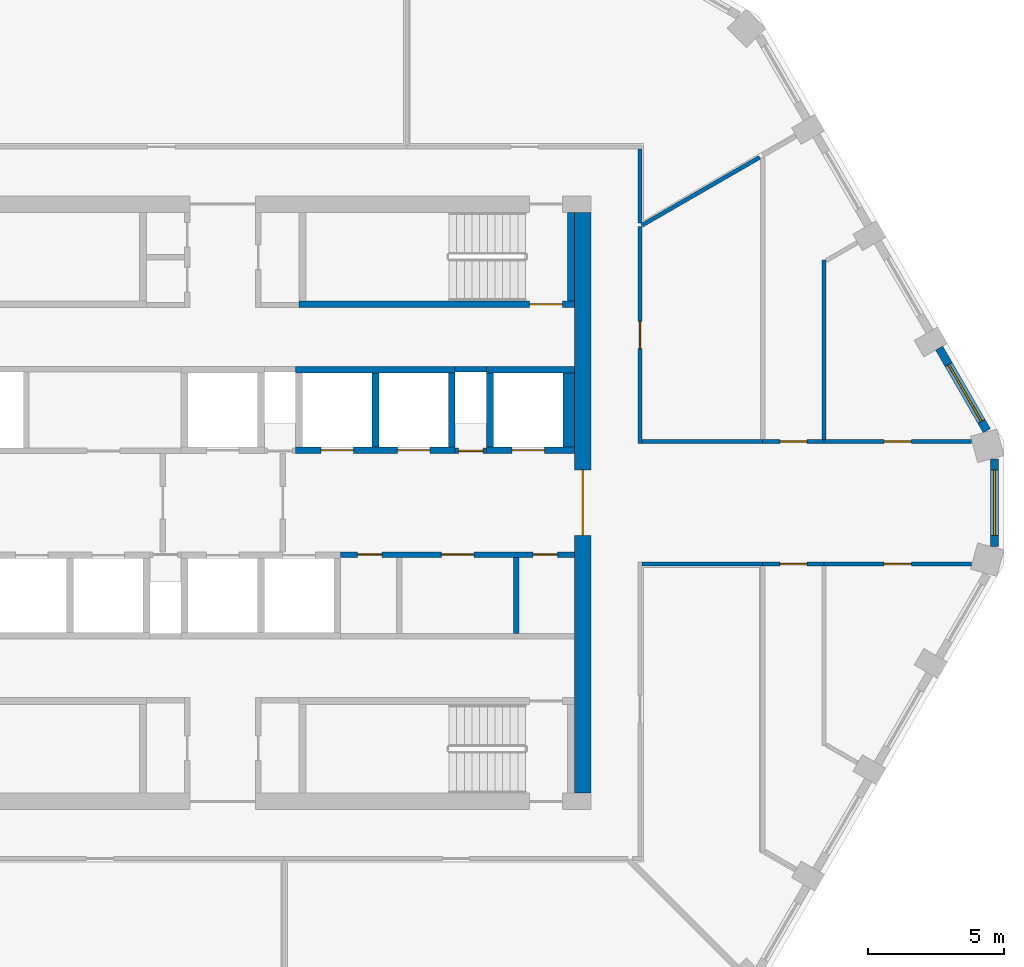
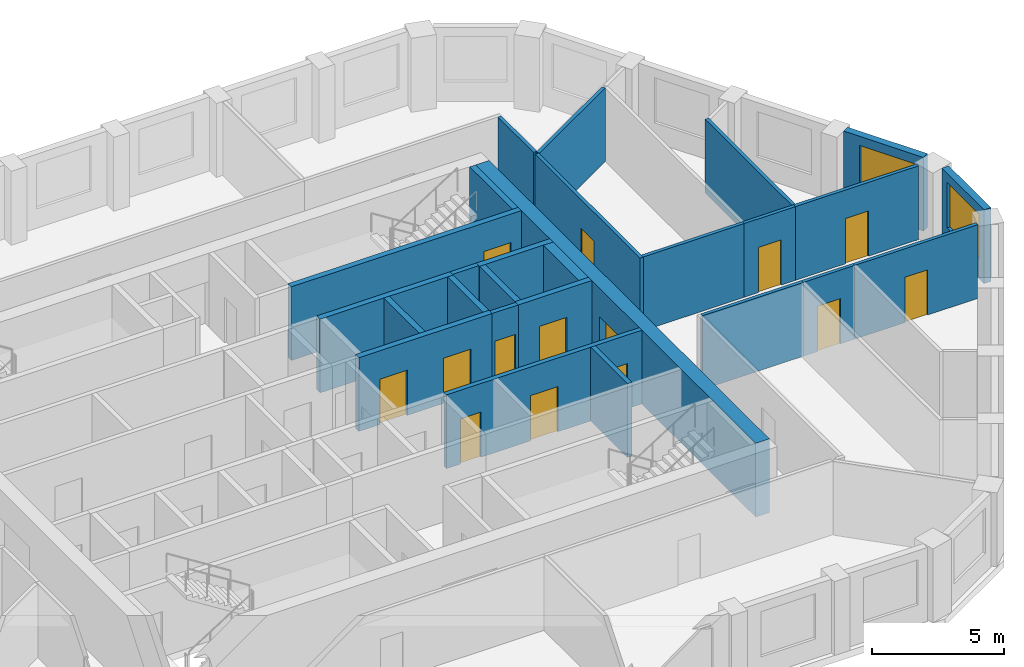
# One storey, part 5 of 11: 27 walls, 14 doors, 2 windows, 16 openings.
"""IFC4 building model written with IfcOpenShell, lengths in metres."""

import ifcopenshell
import ifcopenshell.guid

model = None  # the IFC model being written
_history = None  # IfcOwnerHistory: only IFC2X3 demands one
_inside = {}  # id of a spatial element -> (the spatial element, [elements in it])
_under = {}  # id of a project, library or spatial element -> (it, [spatial elements below it])
_declared = {}  # id of a project -> (the project, [libraries it declares])
_typed = {}  # id of a type object -> (the type object, [elements of that type])
_made_of = {}  # id of a material, layer set ... -> (it, [elements and type objects made of it])


def new_model(schema):
    """Start an empty IFC model of exactly this schema.

    Asked for "IFC4X3", IfcOpenShell would pick the latest addendum, in which some entities
    have other attributes; the version numbers below select the first issue.
    IFC2X3 requires an IfcOwnerHistory on every rooted entity: one is made here for all.
    """
    global model, _history
    if schema == "IFC4X3":
        model = ifcopenshell.file(schema_version=(4, 3, 0, 0))
    else:
        model = ifcopenshell.file(schema=schema)
    _inside.clear()
    _under.clear()
    _declared.clear()
    _typed.clear()
    _made_of.clear()
    _history = None
    if model.schema == "IFC2X3":
        org = make("IfcOrganization", Name="unknown")
        user = make(
            "IfcPersonAndOrganization",
            ThePerson=make("IfcPerson", FamilyName="unknown"),
            TheOrganization=org,
        )
        app = make(
            "IfcApplication",
            ApplicationDeveloper=org,
            Version="unknown",
            ApplicationFullName="unknown",
            ApplicationIdentifier="unknown",
        )
        _history = make(
            "IfcOwnerHistory",
            OwningUser=user,
            OwningApplication=app,
            ChangeAction="ADDED",
            CreationDate=0,
        )
    return model


def make(cls, **values):
    """One entity of the class cls with the attributes given. An attribute that is None is left unset."""
    return model.create_entity(
        cls, **{name: value for name, value in values.items() if value is not None}
    )


def rooted(cls, **values):
    """An entity with a GlobalId (a new one), such as an element, a storey or a relation."""
    return make(cls, GlobalId=ifcopenshell.guid.new(), OwnerHistory=_history, **values)


def si_unit(unit_type, name, prefix=None):
    """IfcSIUnit, for example si_unit("LENGTHUNIT", "METRE", prefix="MILLI")."""
    return make("IfcSIUnit", UnitType=unit_type, Prefix=prefix, Name=name)


def assignment(units):
    """IfcUnitAssignment: the units of a project."""
    return None if units is None else make("IfcUnitAssignment", Units=units)


def point(xyz):
    """IfcCartesianPoint."""
    return None if xyz is None else make("IfcCartesianPoint", Coordinates=xyz)


def direction(xyz):
    """IfcDirection."""
    return None if xyz is None else make("IfcDirection", DirectionRatios=xyz)


def frame(location, z_axis=None, x_axis=None):
    """IfcAxis2Placement3D, a coordinate frame: its origin and axes. An axis left out is left unset."""
    return make(
        "IfcAxis2Placement3D",
        Location=point(location),
        Axis=direction(z_axis),
        RefDirection=direction(x_axis),
    )


def frame_2d(location, x_axis=None):
    """IfcAxis2Placement2D, a coordinate frame in the plane: its origin and x axis."""
    return make(
        "IfcAxis2Placement2D", Location=point(location), RefDirection=direction(x_axis)
    )


def origin():
    """The frame at (0, 0, 0) with its axes left unset."""
    return frame((0.0, 0.0, 0.0))


def place(relative_to, where):
    """IfcLocalPlacement: puts the frame where relative to a parent placement (None: the world)."""
    return make(
        "IfcLocalPlacement", PlacementRelTo=relative_to, RelativePlacement=where
    )


def context(
    kind, dimensions, precision=None, world=None, true_north=None, identifier=None
):
    """IfcGeometricRepresentationContext, for example the 3D "Model" context."""
    return make(
        "IfcGeometricRepresentationContext",
        ContextIdentifier=identifier,
        ContextType=kind,
        CoordinateSpaceDimension=dimensions,
        Precision=precision,
        WorldCoordinateSystem=world,
        TrueNorth=true_north,
    )


def subcontext(parent, identifier, kind, view, scale=None):
    """IfcGeometricRepresentationSubContext, for example "Body" below "Model"."""
    return make(
        "IfcGeometricRepresentationSubContext",
        ContextIdentifier=identifier,
        ContextType=kind,
        ParentContext=parent,
        TargetScale=scale,
        TargetView=view,
    )


def project(units=None, contexts=None):
    """IfcProject with its units and contexts."""
    return rooted(
        "IfcProject",
        Name="project",
        RepresentationContexts=contexts,
        UnitsInContext=assignment(units),
    )


def spatial(cls, under=None, at=None, **own):
    """A site, building, storey or space (cls), placed at a placement, below another one or the project."""
    s = rooted(cls, ObjectPlacement=at, **own)
    if under is not None:
        _under.setdefault(under.id(), (under, []))[1].append(s)
    return s


def polyline(points):
    """IfcPolyline through the points."""
    return make("IfcPolyline", Points=[point(p) for p in points])


def profile(cls, at=None, kind="AREA", **sizes):
    """A parametric profile (cls). Its sizes go by their IFC names, for example OverallWidth=200.0."""
    return make(cls, ProfileType=kind, Position=at, **sizes)


def rectangle(**sizes):
    """IfcRectangleProfileDef."""
    return profile("IfcRectangleProfileDef", **sizes)


def outline(outer, holes=None, kind="AREA"):
    """IfcArbitraryClosedProfileDef: a profile drawn as a closed curve; with holes, ...WithVoids."""
    if holes is None:
        return make("IfcArbitraryClosedProfileDef", ProfileType=kind, OuterCurve=outer)
    return make(
        "IfcArbitraryProfileDefWithVoids",
        ProfileType=kind,
        OuterCurve=outer,
        InnerCurves=holes,
    )


def extrude(swept, where, along, depth):
    """IfcExtrudedAreaSolid: the profile swept, set in the frame where, extruded along a direction by depth."""
    return make(
        "IfcExtrudedAreaSolid",
        SweptArea=swept,
        Position=where,
        ExtrudedDirection=direction(along),
        Depth=depth,
    )


def shape(context_of_items, identifier, shape_type, items):
    """IfcShapeRepresentation: the items that make up one representation, for example the "Body"."""
    return make(
        "IfcShapeRepresentation",
        ContextOfItems=context_of_items,
        RepresentationIdentifier=identifier,
        RepresentationType=shape_type,
        Items=items,
    )


def material(Name=None, Category=None):
    """IfcMaterial."""
    return make("IfcMaterial", Name=Name, Category=Category)


def layer(
    of_material, thickness, ventilated=None, Name=None, Category=None, Priority=None
):
    """IfcMaterialLayer: one layer of a wall or slab, of a material (None: an air gap)."""
    return make(
        "IfcMaterialLayer",
        Material=of_material,
        LayerThickness=thickness,
        IsVentilated=ventilated,
        Name=Name,
        Category=Category,
        Priority=Priority,
    )


def layer_set(layers, Name=None):
    """IfcMaterialLayerSet."""
    return make("IfcMaterialLayerSet", MaterialLayers=layers, LayerSetName=Name)


def made_of(thing, what):
    """Note that an element or type object is made of a material, layer set ...; save() writes the relation."""
    if what is not None:
        _made_of.setdefault(what.id(), (what, []))[1].append(thing)
    return thing


def type_object(cls, material=None, **own):
    """A type object (cls), such as IfcWallType, which elements share."""
    return made_of(rooted(cls, **own), material)


def element(
    cls,
    number,
    at=None,
    inside=None,
    cuts=None,
    type_object=None,
    material=None,
    context=None,
    identifier="Body",
    shape_type=None,
    held_by="IfcProductDefinitionShape",
    body=None,
    shapes=None,
    **own,
):
    """One element of the class cls, such as IfcWall. Its Tag is "e" and its number.

    at: its placement. inside: the storey or other place that contains it. cuts: it is an
    opening in that element (IfcRelVoidsElement). A single representation is given by context,
    identifier, shape_type and body (its items); several are given by shapes. held_by: the class
    of the entity that holds the representations. save() writes the other relations.
    """
    e = rooted(cls, Tag="e%d" % number, ObjectPlacement=at, **own)
    if body is not None:
        shapes = [shape(context, identifier, shape_type, body)]
    if shapes is not None:
        e.Representation = make(held_by, Representations=shapes)
    if inside is not None:
        _inside.setdefault(inside.id(), (inside, []))[1].append(e)
    if cuts is not None:
        rooted(
            "IfcRelVoidsElement", RelatingBuildingElement=cuts, RelatedOpeningElement=e
        )
    if type_object is not None:
        _typed.setdefault(type_object.id(), (type_object, []))[1].append(e)
    return made_of(e, material)


def fill(opening, filler):
    """IfcRelFillsElement: the door or window that sits in an opening."""
    return rooted(
        "IfcRelFillsElement",
        RelatingOpeningElement=opening,
        RelatedBuildingElement=filler,
    )


def aggregate(whole, parts):
    """IfcRelAggregates: a whole, such as a stair, and the parts it consists of."""
    return rooted("IfcRelAggregates", RelatingObject=whole, RelatedObjects=parts)


def save(model, path):
    """Write the relations noted so far, then the file.

    IfcRelAggregates (storeys below a building ...), IfcRelContainedInSpatialStructure (elements
    in a storey), IfcRelDefinesByType, IfcRelAssociatesMaterial and IfcRelDeclares: one each for
    every whole, place, type object, material and project.
    """
    for whole, parts in _under.values():
        aggregate(whole, parts)
    for where, things in _inside.values():
        rooted(
            "IfcRelContainedInSpatialStructure",
            RelatedElements=things,
            RelatingStructure=where,
        )
    for kind, things in _typed.values():
        rooted("IfcRelDefinesByType", RelatedObjects=things, RelatingType=kind)
    for what, things in _made_of.values():
        rooted("IfcRelAssociatesMaterial", RelatedObjects=things, RelatingMaterial=what)
    for by, libraries in _declared.values():
        rooted("IfcRelDeclares", RelatingContext=by, RelatedDefinitions=libraries)
    model.write(path)


model = new_model("IFC4")

# Units and contexts
model_context = context("Model", 3, precision=1e-05, world=origin(), true_north=direction((0.0, 1.0)))
body_context = subcontext(model_context, "Body", "Model", "MODEL_VIEW")
ifc_project = project(units=[si_unit("LENGTHUNIT", "METRE"), si_unit("AREAUNIT", "SQUARE_METRE"), si_unit("VOLUMEUNIT", "CUBIC_METRE"), si_unit("PLANEANGLEUNIT", "RADIAN"), si_unit("MASSUNIT", "GRAM", prefix="KILO")], contexts=[model_context])

# Site, building, storey
site_placement = place(None, origin())
site = spatial("IfcSite", under=ifc_project, at=site_placement, CompositionType="ELEMENT")
building_placement = place(site_placement, origin())
building = spatial("IfcBuilding", under=site, at=building_placement, Name="Dhurran Vertical Campus", CompositionType="ELEMENT")
storey_placement = place(building_placement, frame((0.0, 0.0, 278.10009765625)))
storey = spatial("IfcBuildingStorey", under=building, at=storey_placement, Name="L69", CompositionType="ELEMENT", Elevation=278.10009765625)

# Wall, opening, window
ifc_material_1 = material(Name="Precast concrete C50/60", Category="concrete")
ifc_layer_1 = layer(ifc_material_1, 0.300048828125)
ifc_layer_set_1 = layer_set([ifc_layer_1], Name="Precast concrete C50/60")
wall_type_1 = type_object("IfcWallType", Name="Precast spandrel wall 300", PredefinedType="SOLIDWALL", material=ifc_layer_set_1)
wall_1_placement = place(storey_placement, frame((28.297119140625, -1.59814453125, 0.0), z_axis=(0.0, 0.0, 1.0), x_axis=(0.0, 1.0, 0.0)))
wall_1 = element("IfcWall", 1, at=wall_1_placement, inside=storey, type_object=wall_type_1, Name="EW1 L69.12", PredefinedType="SOLIDWALL", context=body_context, shape_type="SweptSolid", body=[
    extrude(rectangle(XDim=3.1962890625, YDim=0.300048828125, at=frame_2d((1.59814453125, 0.0))), origin(), (0.0, 0.0, 1.0), 3.4248046875),
])
opening_1_placement = place(wall_1_placement, frame((0.398193359375, 0.0, 0.89990234375)))
opening_1 = element("IfcOpeningElement", 2, at=opening_1_placement, cuts=wall_1, Name="Opening WT1", PredefinedType="OPENING", context=body_context, shape_type="SweptSolid", body=[
    extrude(rectangle(XDim=2.39990234375, YDim=2.10009765625, at=frame_2d((1.199951171875, 1.050048828125))), frame((0.0, 0.159912109375, 0.0), z_axis=(0.0, -1.0, 0.0), x_axis=(1.0, 0.0, 0.0)), (0.0, 0.0, 1.0), 0.320068359375),
])
ifc_material_2 = material(Name="Aluminium frame with solar-control glass", Category="aluminium")
window_type = type_object("IfcWindowType", Name="Punched window 2400 x 2100", PartitioningType="SINGLE_PANEL", PredefinedType="WINDOW", material=ifc_material_2)
window_1_placement = place(opening_1_placement, origin())
window_1 = element("IfcWindow", 3, at=window_1_placement, inside=storey, type_object=window_type, Name="WT1 L69.12", OverallHeight=2.10009765625, OverallWidth=2.39990234375, PartitioningType="SINGLE_PANEL", PredefinedType="WINDOW", context=body_context, shape_type="SweptSolid", body=[
    extrude(rectangle(XDim=2.39990234375, YDim=2.10009765625, at=frame_2d((1.199951171875, 1.050048828125))), frame((0.0, 0.030029296875, 0.0), z_axis=(0.0, -1.0, 0.0), x_axis=(1.0, 0.0, 0.0)), (0.0, 0.0, 1.0), 0.06005859375),
])
fill(opening_1, window_1)

wall_2_placement = place(storey_placement, frame((28.01806640625, 2.6396484375, 0.0), z_axis=(0.0, 0.0, 1.0), x_axis=(-0.499990325971, 0.866030989016, 0.0)))
wall_2 = element("IfcWall", 4, at=wall_2_placement, inside=storey, type_object=wall_type_1, Name="EW1 L69.13", PredefinedType="SOLIDWALL", context=body_context, shape_type="SweptSolid", body=[
    extrude(rectangle(XDim=3.49755859375, YDim=0.300048828125, at=frame_2d((1.748779296875, 0.0))), origin(), (0.0, 0.0, 1.0), 3.4248046875),
])
opening_2_placement = place(wall_2_placement, frame((0.398193359375, 0.0, 0.89990234375)))
opening_2 = element("IfcOpeningElement", 5, at=opening_2_placement, cuts=wall_2, Name="Opening WT1", PredefinedType="OPENING", context=body_context, shape_type="SweptSolid", body=[
    extrude(rectangle(XDim=2.39990234375, YDim=2.10009765625, at=frame_2d((1.199951171875, 1.050048828125))), frame((0.0, 0.159912109375, 0.0), z_axis=(0.0, -1.0, 0.0), x_axis=(1.0, 0.0, 0.0)), (0.0, 0.0, 1.0), 0.320068359375),
])
window_2_placement = place(opening_2_placement, origin())
window_2 = element("IfcWindow", 6, at=window_2_placement, inside=storey, type_object=window_type, Name="WT1 L69.13", OverallHeight=2.10009765625, OverallWidth=2.39990234375, PartitioningType="SINGLE_PANEL", PredefinedType="WINDOW", context=body_context, shape_type="SweptSolid", body=[
    extrude(rectangle(XDim=2.39990234375, YDim=2.10009765625, at=frame_2d((1.199951171875, 1.050048828125))), frame((0.0, 0.030029296875, 0.0), z_axis=(0.0, -1.0, 0.0), x_axis=(1.0, 0.0, 0.0)), (0.0, 0.0, 1.0), 0.06005859375),
])
fill(opening_2, window_2)

# Wall, opening, door
ifc_material_3 = material(Name="Concrete C50/60", Category="concrete")
ifc_layer_2 = layer(ifc_material_3, 0.60009765625)
ifc_layer_set_2 = layer_set([ifc_layer_2], Name="Concrete C50/60")
wall_type_2 = type_object("IfcWallType", Name="co-CORE-WALL-C2-600", PredefinedType="SHEAR", material=ifc_layer_set_2)
wall_3_placement = place(storey_placement, frame((13.199951171875, -10.64990234375, 0.0), z_axis=(0.0, 0.0, 1.0), x_axis=(0.0, 1.0, 0.0)))
wall_3 = element("IfcWall", 7, at=wall_3_placement, inside=storey, type_object=wall_type_2, Name="Core wall E L69", PredefinedType="SHEAR", context=body_context, shape_type="SweptSolid", body=[
    extrude(rectangle(XDim=21.2998046875, YDim=0.60009765625, at=frame_2d((10.64990234375, 0.0))), origin(), (0.0, 0.0, 1.0), 3.4248046875),
])
opening_3_placement = place(wall_3_placement, frame((9.449951171875, 0.0, 0.0)))
opening_3 = element("IfcOpeningElement", 8, at=opening_3_placement, cuts=wall_3, Name="Opening CL2", PredefinedType="OPENING", context=body_context, shape_type="SweptSolid", body=[
    extrude(rectangle(XDim=2.39990234375, YDim=2.10009765625, at=frame_2d((1.199951171875, 1.050048828125))), frame((0.0, 0.31005859375, 0.0), z_axis=(0.0, -1.0, 0.0), x_axis=(1.0, 0.0, 0.0)), (0.0, 0.0, 1.0), 0.6201171875),
])
ifc_material_4 = material(Name="Fire-rated glazed door set")
door_type_1 = type_object("IfcDoorType", Name="co-D-LOBBY 2400x2100", OperationType="DOUBLE_DOOR_DOUBLE_SWING", PredefinedType="DOOR", material=ifc_material_4)
door_1_placement = place(opening_3_placement, origin())
door_1 = element("IfcDoor", 9, at=door_1_placement, inside=storey, type_object=door_type_1, Name="Lift lobby door E L69", OperationType="DOUBLE_DOOR_DOUBLE_SWING", OverallHeight=2.10009765625, OverallWidth=2.39990234375, PredefinedType="DOOR", context=body_context, shape_type="SweptSolid", body=[
    extrude(rectangle(XDim=2.39990234375, YDim=2.10009765625, at=frame_2d((1.199951171875, 1.050048828125))), frame((0.0, 0.02490234375, 0.0), z_axis=(0.0, -1.0, 0.0), x_axis=(1.0, 0.0, 0.0)), (0.0, 0.0, 1.0), 0.050048828125),
])
fill(opening_3, door_1)

ifc_material_5 = material(Name="Fire-rated masonry blockwork", Category="masonry")
ifc_layer_3 = layer(ifc_material_5, 0.199951171875)
ifc_layer_set_3 = layer_set([ifc_layer_3], Name="Fire-rated masonry blockwork")
wall_type_3 = type_object("IfcWallType", Name="co-FIRE-PARTITION-200", PredefinedType="PARTITIONING", material=ifc_layer_set_3)
wall_4_placement = place(storey_placement, frame((8.52490234375, 1.89990234375, 0.0), z_axis=(0.0, 0.0, 1.0), x_axis=(1.0, 0.0, 0.0)))
wall_4 = element("IfcWall", 10, at=wall_4_placement, inside=storey, type_object=wall_type_3, Name="Core partition fr-N2-f L69", PredefinedType="PARTITIONING", context=body_context, shape_type="SweptSolid", body=[
    extrude(rectangle(XDim=1.150146484375, YDim=0.199951171875, at=frame_2d((0.5751953125, 0.0))), origin(), (0.0, 0.0, 1.0), 3.4248046875),
])
opening_4_placement = place(wall_4_placement, frame((0.125, 0.0, 0.0)))
opening_4 = element("IfcOpeningElement", 11, at=opening_4_placement, cuts=wall_4, Name="Opening T20-C9", PredefinedType="OPENING", context=body_context, shape_type="SweptSolid", body=[
    extrude(rectangle(XDim=0.89990234375, YDim=2.10009765625, at=frame_2d((0.449951171875, 1.050048828125))), frame((0.0, 0.10986328125, 0.0), z_axis=(0.0, -1.0, 0.0), x_axis=(1.0, 0.0, 0.0)), (0.0, 0.0, 1.0), 0.219970703125),
])
ifc_material_6 = material(Name="Fire-rated timber door set", Category="wood")
door_type_2 = type_object("IfcDoorType", Name="co-D-ROOM 900x2100", OperationType="SINGLE_SWING_LEFT", PredefinedType="DOOR", material=ifc_material_6)
door_2_placement = place(opening_4_placement, origin())
door_2 = element("IfcDoor", 12, at=door_2_placement, inside=storey, type_object=door_type_2, Name="Communications riser door L69", OperationType="SINGLE_SWING_LEFT", OverallHeight=2.10009765625, OverallWidth=0.89990234375, PredefinedType="DOOR", context=body_context, shape_type="SweptSolid", body=[
    extrude(rectangle(XDim=0.89990234375, YDim=2.10009765625, at=frame_2d((0.449951171875, 1.050048828125))), frame((0.0, 0.02490234375, 0.0), z_axis=(0.0, -1.0, 0.0), x_axis=(1.0, 0.0, 0.0)), (0.0, 0.0, 1.0), 0.050048828125),
])
fill(opening_4, door_2)

# Walls
wall_5_placement = place(storey_placement, frame((8.52490234375, 4.89990234375, 0.0), z_axis=(0.0, 0.0, 1.0), x_axis=(1.0, 0.0, 0.0)))
element("IfcWall", 13, at=wall_5_placement, inside=storey, type_object=wall_type_3, Name="Core partition fr-N2-b L69", PredefinedType="PARTITIONING", context=body_context, shape_type="SweptSolid", body=[
    extrude(rectangle(XDim=1.150146484375, YDim=0.199951171875, at=frame_2d((0.5751953125, 0.0))), origin(), (0.0, 0.0, 1.0), 3.4248046875),
])
wall_6_placement = place(storey_placement, frame((10.756103515625, -4.800048828125, 0.0), z_axis=(0.0, 0.0, 1.0), x_axis=(0.0, 1.0, 0.0)))
element("IfcWall", 14, at=wall_6_placement, inside=storey, type_object=wall_type_3, Name="Core partition fr-S2-cut1 L69", PredefinedType="PARTITIONING", context=body_context, shape_type="SweptSolid", body=[
    extrude(rectangle(XDim=2.800048828125, YDim=0.199951171875, at=frame_2d((1.39990234375, 0.0))), origin(), (0.0, 0.0, 1.0), 3.4248046875),
])

# Wall, openings, doors
wall_7_placement = place(storey_placement, frame((4.324951171875, -1.89990234375, 0.0), z_axis=(0.0, 0.0, 1.0), x_axis=(1.0, 0.0, 0.0)))
wall_7 = element("IfcWall", 15, at=wall_7_placement, inside=storey, type_object=wall_type_3, Name="Core partition fr-S2-f L69", PredefinedType="PARTITIONING", context=body_context, shape_type="SweptSolid", body=[
    extrude(rectangle(XDim=8.574951171875, YDim=0.199951171875, at=frame_2d((4.28759765625, 0.0))), origin(), (0.0, 0.0, 1.0), 3.4248046875),
])
opening_5_placement = place(wall_7_placement, frame((0.621826171875, 0.0, 0.0)))
opening_5 = element("IfcOpeningElement", 16, at=opening_5_placement, cuts=wall_7, Name="Opening T20-C12", PredefinedType="OPENING", context=body_context, shape_type="SweptSolid", body=[
    extrude(rectangle(XDim=0.89990234375, YDim=2.10009765625, at=frame_2d((0.449951171875, 1.050048828125))), frame((0.0, 0.10986328125, 0.0), z_axis=(0.0, -1.0, 0.0), x_axis=(1.0, 0.0, 0.0)), (0.0, 0.0, 1.0), 0.219970703125),
])
opening_6_placement = place(wall_7_placement, frame((3.6875, 0.0, 0.0)))
opening_6 = element("IfcOpeningElement", 17, at=opening_6_placement, cuts=wall_7, Name="Opening T20-C13", PredefinedType="OPENING", context=body_context, shape_type="SweptSolid", body=[
    extrude(rectangle(XDim=1.199951171875, YDim=2.10009765625, at=frame_2d((0.60009765625, 1.050048828125))), frame((0.0, 0.10986328125, 0.0), z_axis=(0.0, -1.0, 0.0), x_axis=(1.0, 0.0, 0.0)), (0.0, 0.0, 1.0), 0.219970703125),
])
opening_7_placement = place(wall_7_placement, frame((7.052978515625, 0.0, 0.0)))
opening_7 = element("IfcOpeningElement", 18, at=opening_7_placement, cuts=wall_7, Name="Opening T20-C14", PredefinedType="OPENING", context=body_context, shape_type="SweptSolid", body=[
    extrude(rectangle(XDim=0.89990234375, YDim=2.10009765625, at=frame_2d((0.449951171875, 1.050048828125))), frame((0.0, 0.10986328125, 0.0), z_axis=(0.0, -1.0, 0.0), x_axis=(1.0, 0.0, 0.0)), (0.0, 0.0, 1.0), 0.219970703125),
])
door_3_placement = place(opening_5_placement, origin())
door_3 = element("IfcDoor", 19, at=door_3_placement, inside=storey, type_object=door_type_2, Name="Store door L69", OperationType="SINGLE_SWING_LEFT", OverallHeight=2.10009765625, OverallWidth=0.89990234375, PredefinedType="DOOR", context=body_context, shape_type="SweptSolid", body=[
    extrude(rectangle(XDim=0.89990234375, YDim=2.10009765625, at=frame_2d((0.449951171875, 1.050048828125))), frame((0.0, 0.02490234375, 0.0), z_axis=(0.0, -1.0, 0.0), x_axis=(1.0, 0.0, 0.0)), (0.0, 0.0, 1.0), 0.050048828125),
])
fill(opening_5, door_3)
door_4_placement = place(opening_7_placement, origin())
door_4 = element("IfcDoor", 20, at=door_4_placement, inside=storey, type_object=door_type_2, Name="Plant room door L69", OperationType="SINGLE_SWING_LEFT", OverallHeight=2.10009765625, OverallWidth=0.89990234375, PredefinedType="DOOR", context=body_context, shape_type="SweptSolid", body=[
    extrude(rectangle(XDim=0.89990234375, YDim=2.10009765625, at=frame_2d((0.449951171875, 1.050048828125))), frame((0.0, 0.02490234375, 0.0), z_axis=(0.0, -1.0, 0.0), x_axis=(1.0, 0.0, 0.0)), (0.0, 0.0, 1.0), 0.050048828125),
])
fill(opening_7, door_4)
ifc_material_7 = material(Name="Fire-rated steel door set", Category="steel")
door_type_3 = type_object("IfcDoorType", Name="co-D-ROOM-PASSAGE 1200x2100", OperationType="SINGLE_SWING_RIGHT", PredefinedType="DOOR", material=ifc_material_7)
door_5_placement = place(opening_6_placement, origin())
door_5 = element("IfcDoor", 21, at=door_5_placement, inside=storey, type_object=door_type_3, Name="Communications room door L69", OperationType="SINGLE_SWING_RIGHT", OverallHeight=2.10009765625, OverallWidth=1.199951171875, PredefinedType="DOOR", context=body_context, shape_type="SweptSolid", body=[
    extrude(rectangle(XDim=1.199951171875, YDim=2.10009765625, at=frame_2d((0.60009765625, 1.050048828125))), frame((0.0, 0.02490234375, 0.0), z_axis=(0.0, -1.0, 0.0), x_axis=(1.0, 0.0, 0.0)), (0.0, 0.0, 1.0), 0.050048828125),
])
fill(opening_6, door_5)

ifc_material_8 = material(Name="Concrete C50/60", Category="concrete")
ifc_layer_4 = layer(ifc_material_8, 0.25)
ifc_layer_set_4 = layer_set([ifc_layer_4], Name="Concrete C50/60")
wall_type_4 = type_object("IfcWallType", Name="co-SHAFT-FRONT-250", PredefinedType="SHEAR", material=ifc_layer_set_4)
wall_8_placement = place(storey_placement, frame((2.675048828125, 1.925048828125, 0.0), z_axis=(0.0, 0.0, 1.0), x_axis=(1.0, 0.0, 0.0)))
wall_8 = element("IfcWall", 22, at=wall_8_placement, inside=storey, type_object=wall_type_4, Name="Lift landing wall N L69", PredefinedType="SHEAR", context=body_context, shape_type="SweptSolid", body=[
    extrude(rectangle(XDim=5.849853515625, YDim=0.25, at=frame_2d((2.9248046875, 0.0))), origin(), (0.0, 0.0, 1.0), 3.4248046875),
])
opening_8_placement = place(wall_8_placement, frame((0.925048828125, 0.0, 0.0)))
opening_8 = element("IfcOpeningElement", 23, at=opening_8_placement, cuts=wall_8, Name="Opening LD", PredefinedType="OPENING", context=body_context, shape_type="SweptSolid", body=[
    extrude(rectangle(XDim=1.199951171875, YDim=2.10009765625, at=frame_2d((0.60009765625, 1.050048828125))), frame((0.0, 0.135009765625, 0.0), z_axis=(0.0, -1.0, 0.0), x_axis=(1.0, 0.0, 0.0)), (0.0, 0.0, 1.0), 0.27001953125),
])
opening_9_placement = place(wall_8_placement, frame((3.72509765625, 0.0, 0.0)))
opening_9 = element("IfcOpeningElement", 24, at=opening_9_placement, cuts=wall_8, Name="Opening LD", PredefinedType="OPENING", context=body_context, shape_type="SweptSolid", body=[
    extrude(rectangle(XDim=1.199951171875, YDim=2.10009765625, at=frame_2d((0.60009765625, 1.050048828125))), frame((0.0, 0.135009765625, 0.0), z_axis=(0.0, -1.0, 0.0), x_axis=(1.0, 0.0, 0.0)), (0.0, 0.0, 1.0), 0.27001953125),
])
ifc_material_9 = material(Name="Stainless steel landing door", Category="steel")
door_type_4 = type_object("IfcDoorType", Name="co-D-LANDING 1200x2100", OperationType="DOUBLE_DOOR_SLIDING", PredefinedType="DOOR", material=ifc_material_9)
door_6_placement = place(opening_8_placement, origin())
door_6 = element("IfcDoor", 25, at=door_6_placement, inside=storey, type_object=door_type_4, Name="Landing door HR1 L69", OperationType="DOUBLE_DOOR_SLIDING", OverallHeight=2.10009765625, OverallWidth=1.199951171875, PredefinedType="DOOR", context=body_context, shape_type="SweptSolid", body=[
    extrude(rectangle(XDim=1.199951171875, YDim=2.10009765625, at=frame_2d((0.60009765625, 1.050048828125))), frame((0.0, 0.02490234375, 0.0), z_axis=(0.0, -1.0, 0.0), x_axis=(1.0, 0.0, 0.0)), (0.0, 0.0, 1.0), 0.050048828125),
])
fill(opening_8, door_6)
door_7_placement = place(opening_9_placement, origin())
door_7 = element("IfcDoor", 26, at=door_7_placement, inside=storey, type_object=door_type_4, Name="Landing door HR2 L69", OperationType="DOUBLE_DOOR_SLIDING", OverallHeight=2.10009765625, OverallWidth=1.199951171875, PredefinedType="DOOR", context=body_context, shape_type="SweptSolid", body=[
    extrude(rectangle(XDim=1.199951171875, YDim=2.10009765625, at=frame_2d((0.60009765625, 1.050048828125))), frame((0.0, 0.02490234375, 0.0), z_axis=(0.0, -1.0, 0.0), x_axis=(1.0, 0.0, 0.0)), (0.0, 0.0, 1.0), 0.050048828125),
])
fill(opening_9, door_7)

# Wall, opening, door
wall_9_placement = place(storey_placement, frame((9.675048828125, 1.925048828125, 0.0), z_axis=(0.0, 0.0, 1.0), x_axis=(1.0, 0.0, 0.0)))
wall_9 = element("IfcWall", 27, at=wall_9_placement, inside=storey, type_object=wall_type_4, Name="Lift landing wall N L69", PredefinedType="SHEAR", context=body_context, shape_type="SweptSolid", body=[
    extrude(rectangle(XDim=3.224853515625, YDim=0.25, at=frame_2d((1.6123046875, 0.0))), origin(), (0.0, 0.0, 1.0), 3.4248046875),
])
opening_10_placement = place(wall_9_placement, frame((0.925048828125, 0.0, 0.0)))
opening_10 = element("IfcOpeningElement", 28, at=opening_10_placement, cuts=wall_9, Name="Opening LD", PredefinedType="OPENING", context=body_context, shape_type="SweptSolid", body=[
    extrude(rectangle(XDim=1.199951171875, YDim=2.10009765625, at=frame_2d((0.60009765625, 1.050048828125))), frame((0.0, 0.135009765625, 0.0), z_axis=(0.0, -1.0, 0.0), x_axis=(1.0, 0.0, 0.0)), (0.0, 0.0, 1.0), 0.27001953125),
])
door_8_placement = place(opening_10_placement, origin())
door_8 = element("IfcDoor", 29, at=door_8_placement, inside=storey, type_object=door_type_4, Name="Landing door SV2 L69", OperationType="DOUBLE_DOOR_SLIDING", OverallHeight=2.10009765625, OverallWidth=1.199951171875, PredefinedType="DOOR", context=body_context, shape_type="SweptSolid", body=[
    extrude(rectangle(XDim=1.199951171875, YDim=2.10009765625, at=frame_2d((0.60009765625, 1.050048828125))), frame((0.0, 0.02490234375, 0.0), z_axis=(0.0, -1.0, 0.0), x_axis=(1.0, 0.0, 0.0)), (0.0, 0.0, 1.0), 0.050048828125),
])
fill(opening_10, door_8)

# Walls
ifc_material_10 = material(Name="Concrete C50/60", Category="concrete")
ifc_layer_5 = layer(ifc_material_10, 0.25)
ifc_layer_set_5 = layer_set([ifc_layer_5], Name="Concrete C50/60")
wall_type_5 = type_object("IfcWallType", Name="co-SHAFT-MASS-250", PredefinedType="SHEAR", material=ifc_layer_set_5)
wall_10_placement = place(storey_placement, origin())
element("IfcWall", 30, at=wall_10_placement, inside=storey, type_object=wall_type_5, Name="Lift shaft wall N L69 2", PredefinedType="SHEAR", context=body_context, shape_type="SweptSolid", body=[
    extrude(outline(polyline([(2.675048828125, 4.75), (8.52490234375, 4.75), (8.52490234375, 5.0), (2.675048828125, 5.0), (2.675048828125, 4.75)])), origin(), (0.0, 0.0, 1.0), 3.4248046875),
])
wall_11_placement = place(storey_placement, origin())
element("IfcWall", 31, at=wall_11_placement, inside=storey, type_object=wall_type_5, Name="Lift shaft wall N L69 3", PredefinedType="SHEAR", context=body_context, shape_type="SweptSolid", body=[
    extrude(outline(polyline([(9.675048828125, 4.75), (12.89990234375, 4.75), (12.89990234375, 5.0), (9.675048828125, 5.0), (9.675048828125, 4.75)])), origin(), (0.0, 0.0, 1.0), 3.4248046875),
])
wall_12_placement = place(storey_placement, origin())
element("IfcWall", 32, at=wall_12_placement, inside=storey, type_object=wall_type_5, Name="Lift shaft wall N L69 7", PredefinedType="SHEAR", context=body_context, shape_type="SweptSolid", body=[
    extrude(outline(polyline([(5.47509765625, 2.050048828125), (5.72509765625, 2.050048828125), (5.72509765625, 4.75), (5.47509765625, 4.75), (5.47509765625, 2.050048828125)])), origin(), (0.0, 0.0, 1.0), 3.4248046875),
])
wall_13_placement = place(storey_placement, origin())
element("IfcWall", 33, at=wall_13_placement, inside=storey, type_object=wall_type_5, Name="Lift shaft wall N L69 8", PredefinedType="SHEAR", context=body_context, shape_type="SweptSolid", body=[
    extrude(outline(polyline([(8.27490234375, 2.050048828125), (8.52490234375, 2.050048828125), (8.52490234375, 4.75), (8.27490234375, 4.75), (8.27490234375, 2.050048828125)])), origin(), (0.0, 0.0, 1.0), 3.4248046875),
])
wall_14_placement = place(storey_placement, origin())
element("IfcWall", 34, at=wall_14_placement, inside=storey, type_object=wall_type_5, Name="Lift shaft wall N L69 9", PredefinedType="SHEAR", context=body_context, shape_type="SweptSolid", body=[
    extrude(outline(polyline([(9.675048828125, 2.050048828125), (9.925048828125, 2.050048828125), (9.925048828125, 4.75), (9.675048828125, 4.75), (9.675048828125, 2.050048828125)])), origin(), (0.0, 0.0, 1.0), 3.4248046875),
])
wall_15_placement = place(storey_placement, origin())
element("IfcWall", 35, at=wall_15_placement, inside=storey, type_object=wall_type_5, Name="Lift shaft wall N L69 10", PredefinedType="SHEAR", context=body_context, shape_type="SweptSolid", body=[
    extrude(outline(polyline([(12.47509765625, 2.050048828125), (12.89990234375, 2.050048828125), (12.89990234375, 4.75), (12.47509765625, 4.75), (12.47509765625, 2.050048828125)])), origin(), (0.0, 0.0, 1.0), 3.4248046875),
])

# Wall, opening, door
ifc_material_11 = material(Name="Concrete C40/50", Category="concrete")
ifc_layer_6 = layer(ifc_material_11, 0.25)
ifc_layer_set_6 = layer_set([ifc_layer_6], Name="Concrete C40/50")
wall_type_6 = type_object("IfcWallType", Name="co-STAIR-WALL-250", PredefinedType="SHEAR", material=ifc_layer_set_6)
wall_16_placement = place(storey_placement, frame((2.800048828125, 7.27490234375, 0.0), z_axis=(0.0, 0.0, 1.0), x_axis=(1.0, 0.0, 0.0)))
wall_16 = element("IfcWall", 36, at=wall_16_placement, inside=storey, type_object=wall_type_6, Name="Stair ST2 enclosure wall L69", PredefinedType="SHEAR", context=body_context, shape_type="SweptSolid", body=[
    extrude(rectangle(XDim=10.099853515625, YDim=0.25, at=frame_2d((5.0498046875, 0.0))), origin(), (0.0, 0.0, 1.0), 3.4248046875),
])
opening_11_placement = place(wall_16_placement, frame((8.449951171875, 0.0, 0.0)))
opening_11 = element("IfcOpeningElement", 37, at=opening_11_placement, cuts=wall_16, Name="Opening SD2", PredefinedType="OPENING", context=body_context, shape_type="SweptSolid", body=[
    extrude(rectangle(XDim=1.199951171875, YDim=2.10009765625, at=frame_2d((0.60009765625, 1.050048828125))), frame((0.0, 0.135009765625, 0.0), z_axis=(0.0, -1.0, 0.0), x_axis=(1.0, 0.0, 0.0)), (0.0, 0.0, 1.0), 0.27001953125),
])
ifc_material_12 = material(Name="Fire-rated steel door set", Category="steel")
door_type_5 = type_object("IfcDoorType", Name="co-D-STAIR 1200x2100", OperationType="SINGLE_SWING_LEFT", PredefinedType="DOOR", material=ifc_material_12)
door_9_placement = place(opening_11_placement, origin())
door_9 = element("IfcDoor", 38, at=door_9_placement, inside=storey, type_object=door_type_5, Name="Stair ST2 door L69", OperationType="SINGLE_SWING_LEFT", OverallHeight=2.10009765625, OverallWidth=1.199951171875, PredefinedType="DOOR", context=body_context, shape_type="SweptSolid", body=[
    extrude(rectangle(XDim=1.199951171875, YDim=2.10009765625, at=frame_2d((0.60009765625, 1.050048828125))), frame((0.0, 0.02490234375, 0.0), z_axis=(0.0, -1.0, 0.0), x_axis=(1.0, 0.0, 0.0)), (0.0, 0.0, 1.0), 0.050048828125),
])
fill(opening_11, door_9)

# Walls
wall_17_placement = place(storey_placement, frame((12.77490234375, 7.39990234375, 0.0), z_axis=(0.0, 0.0, 1.0), x_axis=(0.0, 1.0, 0.0)))
element("IfcWall", 39, at=wall_17_placement, inside=storey, type_object=wall_type_6, Name="Stair ST2 enclosure wall L69", PredefinedType="SHEAR", context=body_context, shape_type="SweptSolid", body=[
    extrude(rectangle(XDim=3.25, YDim=0.25, at=frame_2d((1.625, 0.0))), origin(), (0.0, 0.0, 1.0), 3.4248046875),
])
ifc_material_13 = material(Name="Gypsum board corridor wall on steel studs", Category="steel")
ifc_layer_7 = layer(ifc_material_13, 0.14990234375)
ifc_layer_set_7 = layer_set([ifc_layer_7], Name="Gypsum board corridor wall on steel studs")
wall_type_7 = type_object("IfcWallType", Name="fl-CW-150 corridor wall", PredefinedType="PARTITIONING", material=ifc_layer_set_7)
wall_18_placement = place(storey_placement, frame((19.800048828125, -2.25, 0.0), z_axis=(0.0, 0.0, 1.0), x_axis=(-1.0, 0.0, 0.0)))
element("IfcWall", 40, at=wall_18_placement, inside=storey, type_object=wall_type_7, Name="Partition 69-28", PredefinedType="PARTITIONING", context=body_context, shape_type="SweptSolid", body=[
    extrude(rectangle(XDim=4.425048828125, YDim=0.14990234375, at=frame_2d((2.21240234375, 0.0))), origin(), (0.0, 0.0, 1.0), 3.4248046875),
])

# Wall, opening, door
wall_19_placement = place(storey_placement, frame((15.300048828125, 2.175048828125, 0.0), z_axis=(0.0, 0.0, 1.0), x_axis=(0.0, 1.0, 0.0)))
wall_19 = element("IfcWall", 41, at=wall_19_placement, inside=storey, type_object=wall_type_7, Name="Partition 69-29", PredefinedType="PARTITIONING", context=body_context, shape_type="SweptSolid", body=[
    extrude(rectangle(XDim=7.95703125, YDim=0.14990234375, at=frame_2d((3.978515625, 0.0))), origin(), (0.0, 0.0, 1.0), 3.4248046875),
])
opening_12_placement = place(wall_19_placement, frame((3.478515625, 0.0, 0.0)))
opening_12 = element("IfcOpeningElement", 42, at=opening_12_placement, cuts=wall_19, Name="Opening T20.11", PredefinedType="OPENING", context=body_context, shape_type="SweptSolid", body=[
    extrude(rectangle(XDim=1.0, YDim=2.10009765625, at=frame_2d((0.5, 1.050048828125))), frame((0.0, 0.0849609375, 0.0), z_axis=(0.0, -1.0, 0.0), x_axis=(1.0, 0.0, 0.0)), (0.0, 0.0, 1.0), 0.169921875),
])
ifc_material_14 = material(Name="Solid-core timber door set, fire-rated", Category="wood")
door_type_6 = type_object("IfcDoorType", Name="fl-D-1000x2100", OperationType="SINGLE_SWING_LEFT", PredefinedType="DOOR", material=ifc_material_14)
door_10_placement = place(opening_12_placement, origin())
door_10 = element("IfcDoor", 43, at=door_10_placement, inside=storey, type_object=door_type_6, Name="Door 69.11", OperationType="SINGLE_SWING_RIGHT", OverallHeight=2.10009765625, OverallWidth=1.0, PredefinedType="DOOR", context=body_context, shape_type="SweptSolid", body=[
    extrude(rectangle(XDim=1.0, YDim=2.10009765625, at=frame_2d((0.5, 1.050048828125))), frame((0.0, 0.02490234375, 0.0), z_axis=(0.0, -1.0, 0.0), x_axis=(1.0, 0.0, 0.0)), (0.0, 0.0, 1.0), 0.050048828125),
])
fill(opening_12, door_10)

# Walls
wall_20_placement = place(storey_placement, frame((15.375, 2.25, 0.0), z_axis=(0.0, 0.0, 1.0), x_axis=(1.0, 0.0, 0.0)))
element("IfcWall", 44, at=wall_20_placement, inside=storey, type_object=wall_type_7, Name="Partition 69-30", PredefinedType="PARTITIONING", context=body_context, shape_type="SweptSolid", body=[
    extrude(rectangle(XDim=4.425048828125, YDim=0.14990234375, at=frame_2d((2.21240234375, 0.0))), origin(), (0.0, 0.0, 1.0), 3.4248046875),
])
wall_21_placement = place(storey_placement, frame((15.300048828125, 10.261962890625, 0.0), z_axis=(0.0, 0.0, 1.0), x_axis=(0.0, 1.0, 0.0)))
element("IfcWall", 45, at=wall_21_placement, inside=storey, type_object=wall_type_7, Name="Partition 69-31", PredefinedType="PARTITIONING", context=body_context, shape_type="SweptSolid", body=[
    extrude(rectangle(XDim=2.713134765625, YDim=0.14990234375, at=frame_2d((1.3564453125, 0.0))), origin(), (0.0, 0.0, 1.0), 3.4248046875),
])

# Wall, opening, door
wall_22_placement = place(storey_placement, frame((22.050048828125, -2.25, 0.0), z_axis=(0.0, 0.0, 1.0), x_axis=(-1.0, 0.0, 0.0)))
wall_22 = element("IfcWall", 46, at=wall_22_placement, inside=storey, type_object=wall_type_7, Name="Partition 69-35", PredefinedType="PARTITIONING", context=body_context, shape_type="SweptSolid", body=[
    extrude(rectangle(XDim=2.25, YDim=0.14990234375, at=frame_2d((1.125, 0.0))), origin(), (0.0, 0.0, 1.0), 3.4248046875),
])
opening_13_placement = place(wall_22_placement, frame((0.625, 0.0, 0.0)))
opening_13 = element("IfcOpeningElement", 47, at=opening_13_placement, cuts=wall_22, Name="Opening T20.13", PredefinedType="OPENING", context=body_context, shape_type="SweptSolid", body=[
    extrude(rectangle(XDim=1.0, YDim=2.10009765625, at=frame_2d((0.5, 1.050048828125))), frame((0.0, 0.0849609375, 0.0), z_axis=(0.0, -1.0, 0.0), x_axis=(1.0, 0.0, 0.0)), (0.0, 0.0, 1.0), 0.169921875),
])
door_11_placement = place(opening_13_placement, origin())
door_11 = element("IfcDoor", 48, at=door_11_placement, inside=storey, type_object=door_type_6, Name="Door 69.13", OperationType="SINGLE_SWING_RIGHT", OverallHeight=2.10009765625, OverallWidth=1.0, PredefinedType="DOOR", context=body_context, shape_type="SweptSolid", body=[
    extrude(rectangle(XDim=1.0, YDim=2.10009765625, at=frame_2d((0.5, 1.050048828125))), frame((0.0, 0.02490234375, 0.0), z_axis=(0.0, -1.0, 0.0), x_axis=(1.0, 0.0, 0.0)), (0.0, 0.0, 1.0), 0.050048828125),
])
fill(opening_13, door_11)

wall_23_placement = place(storey_placement, frame((19.800048828125, 2.25, 0.0), z_axis=(0.0, 0.0, 1.0), x_axis=(1.0, 0.0, 0.0)))
wall_23 = element("IfcWall", 49, at=wall_23_placement, inside=storey, type_object=wall_type_7, Name="Partition 69-37", PredefinedType="PARTITIONING", context=body_context, shape_type="SweptSolid", body=[
    extrude(rectangle(XDim=2.25, YDim=0.14990234375, at=frame_2d((1.125, 0.0))), origin(), (0.0, 0.0, 1.0), 3.4248046875),
])
opening_14_placement = place(wall_23_placement, frame((0.625, 0.0, 0.0)))
opening_14 = element("IfcOpeningElement", 50, at=opening_14_placement, cuts=wall_23, Name="Opening T20.14", PredefinedType="OPENING", context=body_context, shape_type="SweptSolid", body=[
    extrude(rectangle(XDim=1.0, YDim=2.10009765625, at=frame_2d((0.5, 1.050048828125))), frame((0.0, 0.0849609375, 0.0), z_axis=(0.0, -1.0, 0.0), x_axis=(1.0, 0.0, 0.0)), (0.0, 0.0, 1.0), 0.169921875),
])
door_12_placement = place(opening_14_placement, origin())
door_12 = element("IfcDoor", 51, at=door_12_placement, inside=storey, type_object=door_type_6, Name="Door 69.14", OperationType="SINGLE_SWING_LEFT", OverallHeight=2.10009765625, OverallWidth=1.0, PredefinedType="DOOR", context=body_context, shape_type="SweptSolid", body=[
    extrude(rectangle(XDim=1.0, YDim=2.10009765625, at=frame_2d((0.5, 1.050048828125))), frame((0.0, 0.02490234375, 0.0), z_axis=(0.0, -1.0, 0.0), x_axis=(1.0, 0.0, 0.0)), (0.0, 0.0, 1.0), 0.050048828125),
])
fill(opening_14, door_12)

wall_24_placement = place(storey_placement, frame((27.452392578125, -2.25, 0.0), z_axis=(0.0, 0.0, 1.0), x_axis=(-1.0, 0.0, 0.0)))
wall_24 = element("IfcWall", 52, at=wall_24_placement, inside=storey, type_object=wall_type_7, Name="Partition 69-41", PredefinedType="PARTITIONING", context=body_context, shape_type="SweptSolid", body=[
    extrude(rectangle(XDim=5.40234375, YDim=0.14990234375, at=frame_2d((2.701171875, 0.0))), origin(), (0.0, 0.0, 1.0), 3.4248046875),
])
opening_15_placement = place(wall_24_placement, frame((2.201171875, 0.0, 0.0)))
opening_15 = element("IfcOpeningElement", 53, at=opening_15_placement, cuts=wall_24, Name="Opening T20.15", PredefinedType="OPENING", context=body_context, shape_type="SweptSolid", body=[
    extrude(rectangle(XDim=1.0, YDim=2.10009765625, at=frame_2d((0.5, 1.050048828125))), frame((0.0, 0.0849609375, 0.0), z_axis=(0.0, -1.0, 0.0), x_axis=(1.0, 0.0, 0.0)), (0.0, 0.0, 1.0), 0.169921875),
])
door_13_placement = place(opening_15_placement, origin())
door_13 = element("IfcDoor", 54, at=door_13_placement, inside=storey, type_object=door_type_6, Name="Door 69.15", OperationType="SINGLE_SWING_RIGHT", OverallHeight=2.10009765625, OverallWidth=1.0, PredefinedType="DOOR", context=body_context, shape_type="SweptSolid", body=[
    extrude(rectangle(XDim=1.0, YDim=2.10009765625, at=frame_2d((0.5, 1.050048828125))), frame((0.0, 0.02490234375, 0.0), z_axis=(0.0, -1.0, 0.0), x_axis=(1.0, 0.0, 0.0)), (0.0, 0.0, 1.0), 0.050048828125),
])
fill(opening_15, door_13)

wall_25_placement = place(storey_placement, frame((22.050048828125, 2.25, 0.0), z_axis=(0.0, 0.0, 1.0), x_axis=(1.0, 0.0, 0.0)))
wall_25 = element("IfcWall", 55, at=wall_25_placement, inside=storey, type_object=wall_type_7, Name="Partition 69-43", PredefinedType="PARTITIONING", context=body_context, shape_type="SweptSolid", body=[
    extrude(rectangle(XDim=5.40234375, YDim=0.14990234375, at=frame_2d((2.701171875, 0.0))), origin(), (0.0, 0.0, 1.0), 3.4248046875),
])
opening_16_placement = place(wall_25_placement, frame((2.201171875, 0.0, 0.0)))
opening_16 = element("IfcOpeningElement", 56, at=opening_16_placement, cuts=wall_25, Name="Opening T20.16", PredefinedType="OPENING", context=body_context, shape_type="SweptSolid", body=[
    extrude(rectangle(XDim=1.0, YDim=2.10009765625, at=frame_2d((0.5, 1.050048828125))), frame((0.0, 0.0849609375, 0.0), z_axis=(0.0, -1.0, 0.0), x_axis=(1.0, 0.0, 0.0)), (0.0, 0.0, 1.0), 0.169921875),
])
door_14_placement = place(opening_16_placement, origin())
door_14 = element("IfcDoor", 57, at=door_14_placement, inside=storey, type_object=door_type_6, Name="Door 69.16", OperationType="SINGLE_SWING_RIGHT", OverallHeight=2.10009765625, OverallWidth=1.0, PredefinedType="DOOR", context=body_context, shape_type="SweptSolid", body=[
    extrude(rectangle(XDim=1.0, YDim=2.10009765625, at=frame_2d((0.5, 1.050048828125))), frame((0.0, 0.02490234375, 0.0), z_axis=(0.0, -1.0, 0.0), x_axis=(1.0, 0.0, 0.0)), (0.0, 0.0, 1.0), 0.050048828125),
])
fill(opening_16, door_14)

# Walls
ifc_material_15 = material(Name="Gypsum board partition on steel studs", Category="steel")
ifc_layer_8 = layer(ifc_material_15, 0.14990234375)
ifc_layer_set_8 = layer_set([ifc_layer_8], Name="Gypsum board partition on steel studs")
wall_type_8 = type_object("IfcWallType", Name="fl-PW-150 fixed partition", PredefinedType="PARTITIONING", material=ifc_layer_set_8)
wall_26_placement = place(storey_placement, frame((19.6875, 12.6650390625, 0.0), z_axis=(0.0, 0.0, 1.0), x_axis=(-0.866025118187, -0.500000494669, 0.0)))
element("IfcWall", 58, at=wall_26_placement, inside=storey, type_object=wall_type_8, Name="Partition 69-32", PredefinedType="PARTITIONING", context=body_context, shape_type="SweptSolid", body=[
    extrude(rectangle(XDim=4.9912109375, YDim=0.14990234375, at=frame_2d((2.49560546875, 0.0))), origin(), (0.0, 0.0, 1.0), 3.4248046875),
])
wall_27_placement = place(storey_placement, frame((22.050048828125, 8.907958984375, 0.0), z_axis=(0.0, 0.0, 1.0), x_axis=(0.0, -1.0, 0.0)))
element("IfcWall", 59, at=wall_27_placement, inside=storey, type_object=wall_type_8, Name="Partition 69-42", PredefinedType="PARTITIONING", context=body_context, shape_type="SweptSolid", body=[
    extrude(rectangle(XDim=6.5830078125, YDim=0.14990234375, at=frame_2d((3.29150390625, 0.0))), origin(), (0.0, 0.0, 1.0), 3.4248046875),
])

save(model, "model.ifc")
